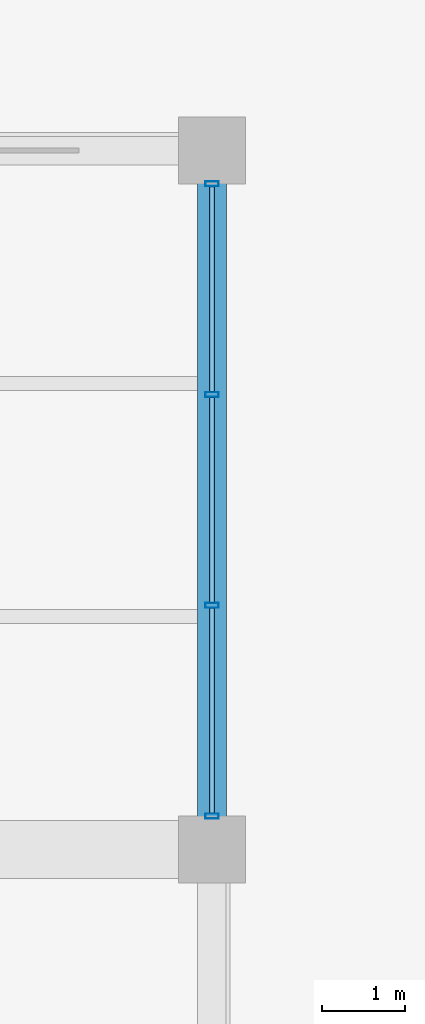
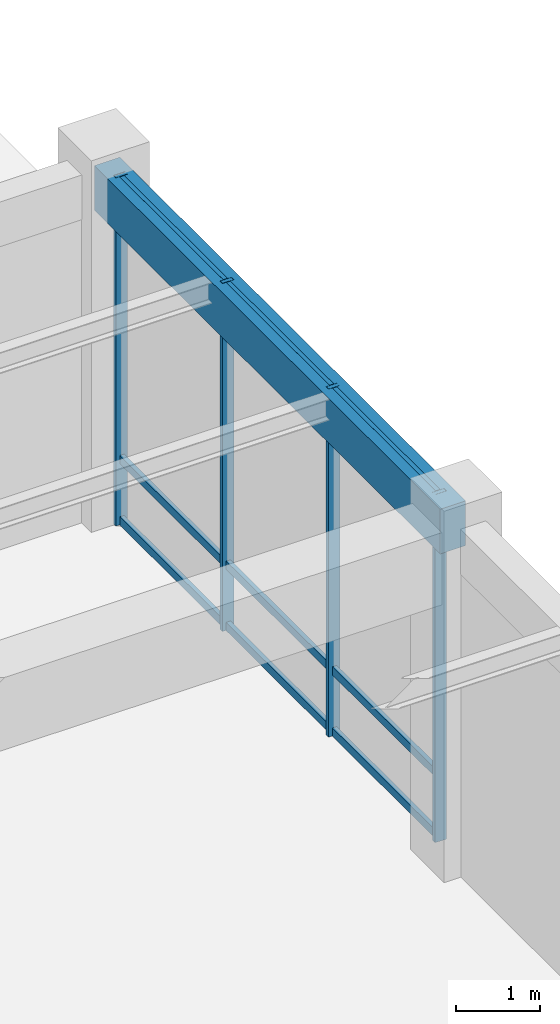
# One storey, part 110 of 157: 13 members, 1 beam, 1 element without a shape of its own.
"""IFC4 building model written with IfcOpenShell, lengths in metres."""

from ifc_helpers import new_model, si_unit, direction, frame, origin, origin_2d, place, context, subcontext, project, spatial, rectangle, hollow_rectangle, extrude, material, material_profile, profile_set, type_object, element, aggregate, save


model = new_model("IFC4")

# Units and contexts
model_context = context("Model", 3, precision=1e-05, world=origin(), true_north=direction((0.0, 1.0)))
body_context = subcontext(model_context, "Body", "Model", "MODEL_VIEW")
ifc_project = project(units=[si_unit("LENGTHUNIT", "METRE"), si_unit("AREAUNIT", "SQUARE_METRE"), si_unit("VOLUMEUNIT", "CUBIC_METRE"), si_unit("PLANEANGLEUNIT", "RADIAN"), si_unit("MASSUNIT", "GRAM", prefix="KILO"), si_unit("THERMODYNAMICTEMPERATUREUNIT", "KELVIN"), si_unit("POWERUNIT", "WATT")], contexts=[model_context])

# Site, building, storey
site_placement = place(None, origin())
site = spatial("IfcSite", under=ifc_project, at=site_placement, CompositionType="ELEMENT")
building_placement = place(site_placement, origin())
building = spatial("IfcBuilding", under=site, at=building_placement, Name="Darbajah Civic Hall", CompositionType="ELEMENT")
storey_placement = place(building_placement, origin())
storey = spatial("IfcBuildingStorey", under=building, at=storey_placement, Name="L00", CompositionType="ELEMENT", Elevation=0.0)

# Curtain wall, members
ifc_material_1 = material(Name="Anodised Bronze Aluminium and Low-E Glazing", Category="aluminium")
curtain_wall_type = type_object("IfcCurtainWallType", Name="Unitised Curtain Wall CW-95 7600x5050", PredefinedType="USERDEFINED", material=ifc_material_1)
curtain_wall_placement = place(storey_placement, origin())
curtain_wall = element("IfcCurtainWall", 1, at=curtain_wall_placement, inside=storey, type_object=curtain_wall_type, Name="L00 unitised curtain wall CW-V4-L00-S1-B5", ObjectType="UNITISED CURTAIN WALL", PredefinedType="USERDEFINED")
ifc_material_2 = material(Name="Anodised Bronze Aluminium", Category="aluminium")
ifc_material_profile_1 = material_profile(ifc_material_2, hollow_rectangle(XDim=0.06005859375, YDim=0.159912109375, WallThickness=0.00341796875, at=origin_2d()), Name="ALU MULLION 60x160")
ifc_profile_set_1 = profile_set([ifc_material_profile_1], Name="Anodised Bronze Aluminium")
member_type_1 = type_object("IfcMemberType", Name="ALU MULLION 60x160", PredefinedType="MULLION", material=ifc_profile_set_1)
member_1_placement = place(storey_placement, frame((178.199951171875, 98.802001953125, 0.0), z_axis=(0.0, 0.0, 1.0), x_axis=(0.0, 1.0, 0.0)))
member_1 = element("IfcMember", 2, at=member_1_placement, type_object=member_type_1, Name="CW-V4-L00-S1-B5 mullion 1", PredefinedType="MULLION", context=body_context, shape_type="SweptSolid", body=[
    extrude(hollow_rectangle(XDim=0.06005859375, YDim=0.159912109375, WallThickness=0.00341796875, at=origin_2d()), origin(), (0.0, 0.0, 1.0), 5.06005859375),
])
member_2_placement = place(storey_placement, frame((178.199951171875, 101.333984375, 0.0), z_axis=(0.0, 0.0, 1.0), x_axis=(0.0, 1.0, 0.0)))
member_2 = element("IfcMember", 3, at=member_2_placement, type_object=member_type_1, Name="CW-V4-L00-S1-B5 mullion 2", PredefinedType="MULLION", context=body_context, shape_type="SweptSolid", body=[
    extrude(hollow_rectangle(XDim=0.06005859375, YDim=0.159912109375, WallThickness=0.00341796875, at=origin_2d()), origin(), (0.0, 0.0, 1.0), 5.06005859375),
])
member_3_placement = place(storey_placement, frame((178.199951171875, 103.865966796875, 0.0), z_axis=(0.0, 0.0, 1.0), x_axis=(0.0, 1.0, 0.0)))
member_3 = element("IfcMember", 4, at=member_3_placement, type_object=member_type_1, Name="CW-V4-L00-S1-B5 mullion 3", PredefinedType="MULLION", context=body_context, shape_type="SweptSolid", body=[
    extrude(hollow_rectangle(XDim=0.06005859375, YDim=0.159912109375, WallThickness=0.00341796875, at=origin_2d()), origin(), (0.0, 0.0, 1.0), 5.06005859375),
])
member_4_placement = place(storey_placement, frame((178.199951171875, 106.39794921875, 0.0), z_axis=(0.0, 0.0, 1.0), x_axis=(0.0, 1.0, 0.0)))
member_4 = element("IfcMember", 5, at=member_4_placement, type_object=member_type_1, Name="CW-V4-L00-S1-B5 mullion 4", PredefinedType="MULLION", context=body_context, shape_type="SweptSolid", body=[
    extrude(hollow_rectangle(XDim=0.06005859375, YDim=0.159912109375, WallThickness=0.00341796875, at=origin_2d()), origin(), (0.0, 0.0, 1.0), 5.06005859375),
])
ifc_material_profile_2 = material_profile(ifc_material_2, hollow_rectangle(XDim=0.06005859375, YDim=0.1201171875, WallThickness=0.003173828125, at=origin_2d()), Name="ALU TRANSOM 60x120")
ifc_profile_set_2 = profile_set([ifc_material_profile_2], Name="Anodised Bronze Aluminium")
member_type_2 = type_object("IfcMemberType", Name="ALU TRANSOM 60x120", PredefinedType="USERDEFINED", material=ifc_profile_set_2)
member_5_placement = place(storey_placement, frame((178.199951171875, 98.8369140625, 0.06005859375), z_axis=(0.0, 1.0, 0.0), x_axis=(-1.0, 0.0, 0.0)))
member_5 = element("IfcMember", 6, at=member_5_placement, type_object=member_type_2, Name="CW-V4-L00-S1-B5 transom 1.1", ObjectType="TRANSOM", PredefinedType="USERDEFINED", context=body_context, shape_type="SweptSolid", body=[
    extrude(hollow_rectangle(XDim=0.06005859375, YDim=0.1201171875, WallThickness=0.003173828125, at=origin_2d()), origin(), (0.0, 0.0, 1.0), 2.462158203125),
])
member_6_placement = place(storey_placement, frame((178.199951171875, 98.8369140625, 0.949951171875), z_axis=(0.0, 1.0, 0.0), x_axis=(-1.0, 0.0, 0.0)))
member_6 = element("IfcMember", 7, at=member_6_placement, type_object=member_type_2, Name="CW-V4-L00-S1-B5 transom 1.2", ObjectType="TRANSOM", PredefinedType="USERDEFINED", context=body_context, shape_type="SweptSolid", body=[
    extrude(hollow_rectangle(XDim=0.06005859375, YDim=0.1201171875, WallThickness=0.003173828125, at=origin_2d()), origin(), (0.0, 0.0, 1.0), 2.462158203125),
])
member_7_placement = place(storey_placement, frame((178.199951171875, 98.8369140625, 5.0), z_axis=(0.0, 1.0, 0.0), x_axis=(-1.0, 0.0, 0.0)))
member_7 = element("IfcMember", 8, at=member_7_placement, type_object=member_type_2, Name="CW-V4-L00-S1-B5 transom 1.3", ObjectType="TRANSOM", PredefinedType="USERDEFINED", context=body_context, shape_type="SweptSolid", body=[
    extrude(hollow_rectangle(XDim=0.06005859375, YDim=0.1201171875, WallThickness=0.003173828125, at=origin_2d()), origin(), (0.0, 0.0, 1.0), 2.462158203125),
])
member_8_placement = place(storey_placement, frame((178.199951171875, 101.368896484375, 0.06005859375), z_axis=(0.0, 1.0, 0.0), x_axis=(-1.0, 0.0, 0.0)))
member_8 = element("IfcMember", 9, at=member_8_placement, type_object=member_type_2, Name="CW-V4-L00-S1-B5 transom 2.1", ObjectType="TRANSOM", PredefinedType="USERDEFINED", context=body_context, shape_type="SweptSolid", body=[
    extrude(hollow_rectangle(XDim=0.06005859375, YDim=0.1201171875, WallThickness=0.003173828125, at=origin_2d()), origin(), (0.0, 0.0, 1.0), 2.462158203125),
])
member_9_placement = place(storey_placement, frame((178.199951171875, 101.368896484375, 0.949951171875), z_axis=(0.0, 1.0, 0.0), x_axis=(-1.0, 0.0, 0.0)))
member_9 = element("IfcMember", 10, at=member_9_placement, type_object=member_type_2, Name="CW-V4-L00-S1-B5 transom 2.2", ObjectType="TRANSOM", PredefinedType="USERDEFINED", context=body_context, shape_type="SweptSolid", body=[
    extrude(hollow_rectangle(XDim=0.06005859375, YDim=0.1201171875, WallThickness=0.003173828125, at=origin_2d()), origin(), (0.0, 0.0, 1.0), 2.462158203125),
])
member_10_placement = place(storey_placement, frame((178.199951171875, 101.368896484375, 5.0), z_axis=(0.0, 1.0, 0.0), x_axis=(-1.0, 0.0, 0.0)))
member_10 = element("IfcMember", 11, at=member_10_placement, type_object=member_type_2, Name="CW-V4-L00-S1-B5 transom 2.3", ObjectType="TRANSOM", PredefinedType="USERDEFINED", context=body_context, shape_type="SweptSolid", body=[
    extrude(hollow_rectangle(XDim=0.06005859375, YDim=0.1201171875, WallThickness=0.003173828125, at=origin_2d()), origin(), (0.0, 0.0, 1.0), 2.462158203125),
])
member_11_placement = place(storey_placement, frame((178.199951171875, 103.90087890625, 0.06005859375), z_axis=(0.0, 1.0, 0.0), x_axis=(-1.0, 0.0, 0.0)))
member_11 = element("IfcMember", 12, at=member_11_placement, type_object=member_type_2, Name="CW-V4-L00-S1-B5 transom 3.1", ObjectType="TRANSOM", PredefinedType="USERDEFINED", context=body_context, shape_type="SweptSolid", body=[
    extrude(hollow_rectangle(XDim=0.06005859375, YDim=0.1201171875, WallThickness=0.003173828125, at=origin_2d()), origin(), (0.0, 0.0, 1.0), 2.462158203125),
])
member_12_placement = place(storey_placement, frame((178.199951171875, 103.90087890625, 0.949951171875), z_axis=(0.0, 1.0, 0.0), x_axis=(-1.0, 0.0, 0.0)))
member_12 = element("IfcMember", 13, at=member_12_placement, type_object=member_type_2, Name="CW-V4-L00-S1-B5 transom 3.2", ObjectType="TRANSOM", PredefinedType="USERDEFINED", context=body_context, shape_type="SweptSolid", body=[
    extrude(hollow_rectangle(XDim=0.06005859375, YDim=0.1201171875, WallThickness=0.003173828125, at=origin_2d()), origin(), (0.0, 0.0, 1.0), 2.462158203125),
])
member_13_placement = place(storey_placement, frame((178.199951171875, 103.90087890625, 5.0), z_axis=(0.0, 1.0, 0.0), x_axis=(-1.0, 0.0, 0.0)))
member_13 = element("IfcMember", 14, at=member_13_placement, type_object=member_type_2, Name="CW-V4-L00-S1-B5 transom 3.3", ObjectType="TRANSOM", PredefinedType="USERDEFINED", context=body_context, shape_type="SweptSolid", body=[
    extrude(hollow_rectangle(XDim=0.06005859375, YDim=0.1201171875, WallThickness=0.003173828125, at=origin_2d()), origin(), (0.0, 0.0, 1.0), 2.462158203125),
])
aggregate(curtain_wall, [member_1, member_2, member_3, member_4, member_5, member_6, member_7, member_8, member_9, member_10, member_11, member_12, member_13])

# Beam
ifc_material_3 = material(Name="Concrete C45/55", Category="concrete")
ifc_material_profile_3 = material_profile(ifc_material_3, rectangle(XDim=0.35009765625, YDim=0.64990234375, at=origin_2d()), Name="RC SPANDREL 350x650")
ifc_profile_set_3 = profile_set([ifc_material_profile_3], Name="Concrete C45/55")
beam_type = type_object("IfcBeamType", Name="RC SPANDREL 350x650", PredefinedType="SPANDREL", material=ifc_profile_set_3)
beam_placement = place(storey_placement, frame((178.199951171875, 98.47998046875, 4.735107421875), z_axis=(0.0, 1.0, 0.0), x_axis=(-1.0, 0.0, 0.0)))
element("IfcBeam", 15, at=beam_placement, inside=storey, type_object=beam_type, Name="L00 beam SP-3565", PredefinedType="SPANDREL", context=body_context, shape_type="SweptSolid", body=[
    extrude(rectangle(XDim=0.35009765625, YDim=0.64990234375, at=origin_2d()), origin(), (0.0, 0.0, 1.0), 8.239990234375),
])

save(model, "model.ifc")
